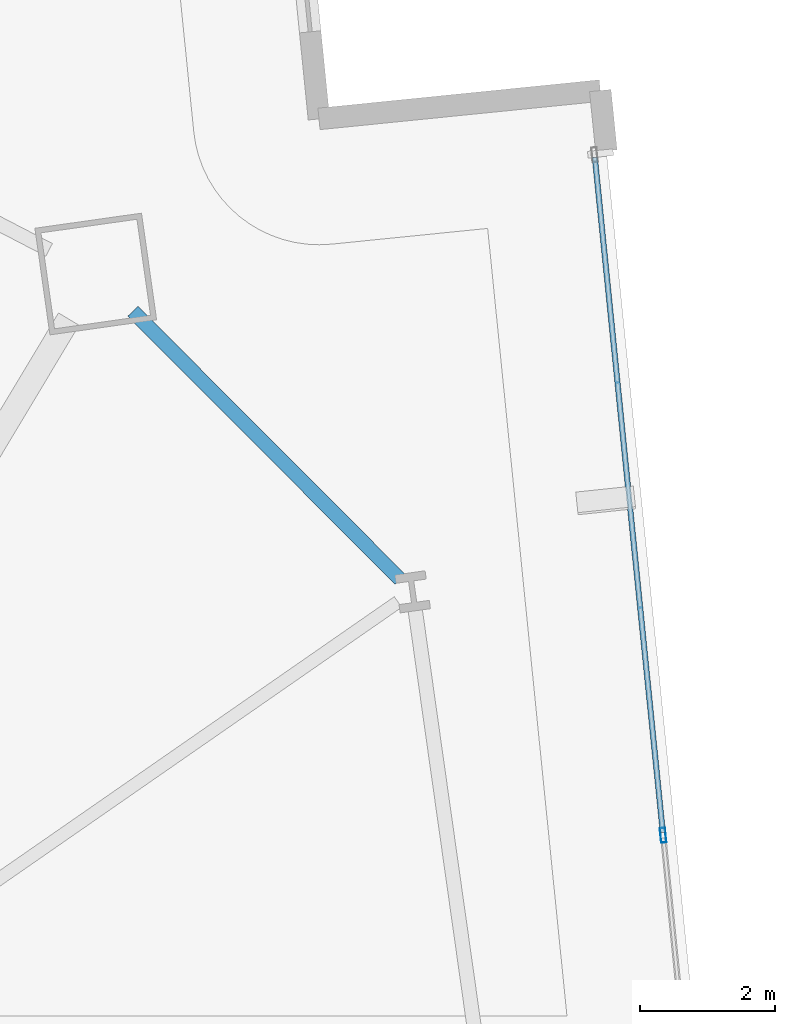
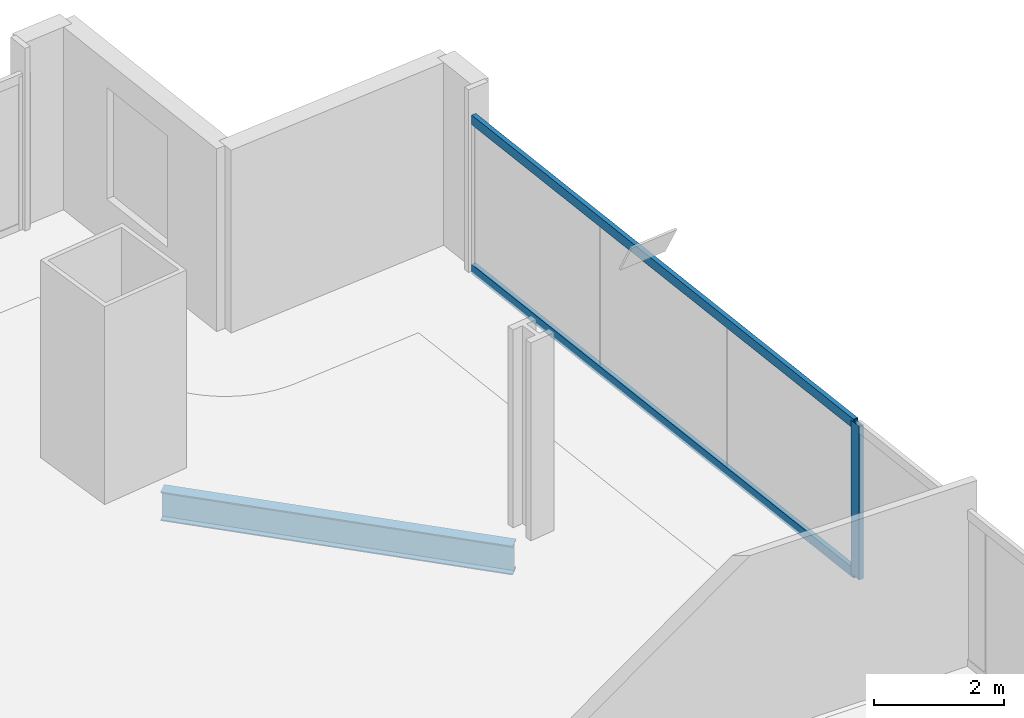
# One storey, part 21 of 33: 3 members, 1 beam, 1 element without a shape of its own.
"""IFC4 building model written with IfcOpenShell, lengths in metres."""

from ifc_helpers import new_model, si_unit, direction, frame, origin, origin_2d, place, context, subcontext, project, spatial, hollow_rectangle, i_section, extrude, material, material_profile, profile_set, type_object, element, aggregate, save


model = new_model("IFC4")

# Units and contexts
model_context = context("Model", 3, precision=1e-05, world=origin(), true_north=direction((0.0, 1.0)))
body_context = subcontext(model_context, "Body", "Model", "MODEL_VIEW")
ifc_project = project(units=[si_unit("LENGTHUNIT", "METRE"), si_unit("AREAUNIT", "SQUARE_METRE"), si_unit("VOLUMEUNIT", "CUBIC_METRE"), si_unit("PLANEANGLEUNIT", "RADIAN"), si_unit("MASSUNIT", "GRAM", prefix="KILO")], contexts=[model_context])

# Site, building, storey
site_placement = place(None, origin())
site = spatial("IfcSite", under=ifc_project, at=site_placement, CompositionType="ELEMENT")
building_placement = place(site_placement, origin())
building = spatial("IfcBuilding", under=site, at=building_placement, Name="Haldenkirk Collegiate Tower", CompositionType="ELEMENT")
storey_placement = place(building_placement, frame((0.0, 0.0, 47.699951171875)))
storey = spatial("IfcBuildingStorey", under=building, at=storey_placement, Name="L10", CompositionType="ELEMENT", Elevation=47.699951171875)

# Beam
ifc_material_1 = material(Name="Steel ASTM A992 Grade 50", Category="steel")
ifc_material_profile_1 = material_profile(ifc_material_1, i_section(OverallWidth=0.2119140625, OverallDepth=0.5439453125, WebThickness=0.01318359375, FlangeThickness=0.021240234375, at=origin_2d()), Name="W21X83")
ifc_profile_set_1 = profile_set([ifc_material_profile_1], Name="Steel ASTM A992 Grade 50")
beam_type = type_object("IfcBeamType", Name="BM-SPANDREL-W21X83", PredefinedType="SPANDREL", material=ifc_profile_set_1)
beam_placement = place(storey_placement, frame((57.70556640625, 43.135986328125, -0.58203125), z_axis=(-0.706085689957, 0.708126400043, 0.0), x_axis=(-0.708126400043, -0.706085689957, 0.0)))
element("IfcBeam", 1, at=beam_placement, inside=storey, type_object=beam_type, Name="L10 perimeter spandrel beam 08", PredefinedType="SPANDREL", context=body_context, shape_type="SweptSolid", body=[
    extrude(i_section(OverallWidth=0.2119140625, OverallDepth=0.5439453125, WebThickness=0.01318359375, FlangeThickness=0.021240234375, at=origin_2d()), origin(), (0.0, 0.0, 1.0), 5.622802734375),
])

# Curtain wall, members
ifc_material_2 = material(Name="Anodised architectural bronze aluminium", Category="aluminium")
curtain_wall_type = type_object("IfcCurtainWallType", Name="CW-SYS1-CONVEX-LOW", PredefinedType="USERDEFINED", material=ifc_material_2)
curtain_wall_placement = place(storey_placement, origin())
curtain_wall = element("IfcCurtainWall", 2, at=curtain_wall_placement, inside=storey, type_object=curtain_wall_type, Name="L10 Lower tower convex bronze-framed unitised curtain wall", ObjectType="UNITISED CURTAIN WALL", PredefinedType="USERDEFINED")
ifc_material_profile_2 = material_profile(ifc_material_2, hollow_rectangle(XDim=0.080078125, YDim=0.219970703125, WallThickness=0.0048828125, at=origin_2d()), Name="CW-MUL-1A")
ifc_profile_set_2 = profile_set([ifc_material_profile_2], Name="Anodised architectural bronze aluminium")
member_type_1 = type_object("IfcMemberType", Name="CW-MUL-1A", PredefinedType="MULLION", material=ifc_profile_set_2)
member_1_placement = place(storey_placement, frame((61.613037109375, 39.333251953125, 0.0), z_axis=(0.0, 0.0, 1.0), x_axis=(0.99496869257, 0.10018633043, 0.0)))
member_1 = element("IfcMember", 3, at=member_1_placement, type_object=member_type_1, Name="CW-1A mullion 2", PredefinedType="MULLION", context=body_context, shape_type="SweptSolid", body=[
    extrude(hollow_rectangle(XDim=0.080078125, YDim=0.219970703125, WallThickness=0.0048828125, at=origin_2d()), origin(), (0.0, 0.0, 1.0), 2.89111328125),
])
ifc_material_profile_3 = material_profile(ifc_material_2, hollow_rectangle(XDim=0.080078125, YDim=0.179931640625, WallThickness=0.0048828125, at=origin_2d()), Name="CW-TRN-1A")
ifc_profile_set_3 = profile_set([ifc_material_profile_3], Name="Anodised architectural bronze aluminium")
member_type_2 = type_object("IfcMemberType", Name="CW-TRN-1A", PredefinedType="USERDEFINED", material=ifc_profile_set_3)
member_2_placement = place(storey_placement, frame((60.59912109375, 49.40234375, 0.0400390625), z_axis=(0.100199127314, -0.994967403931, 0.0), x_axis=(0.994967403931, 0.100199127314, 0.0)))
member_2 = element("IfcMember", 4, at=member_2_placement, type_object=member_type_2, Name="CW-1A transom 1.1", ObjectType="TRANSOM", PredefinedType="USERDEFINED", context=body_context, shape_type="SweptSolid", body=[
    extrude(hollow_rectangle(XDim=0.080078125, YDim=0.179931640625, WallThickness=0.0048828125, at=origin_2d()), origin(), (0.0, 0.0, 1.0), 10.080078125),
])
member_3_placement = place(storey_placement, frame((60.59912109375, 49.40234375, 2.85107421875), z_axis=(0.100199127314, -0.994967403931, 0.0), x_axis=(0.994967403931, 0.100199127314, 0.0)))
member_3 = element("IfcMember", 5, at=member_3_placement, type_object=member_type_2, Name="CW-1A transom 1.2", ObjectType="TRANSOM", PredefinedType="USERDEFINED", context=body_context, shape_type="SweptSolid", body=[
    extrude(hollow_rectangle(XDim=0.080078125, YDim=0.179931640625, WallThickness=0.0048828125, at=origin_2d()), origin(), (0.0, 0.0, 1.0), 10.080078125),
])
aggregate(curtain_wall, [member_1, member_2, member_3])

save(model, "model.ifc")
